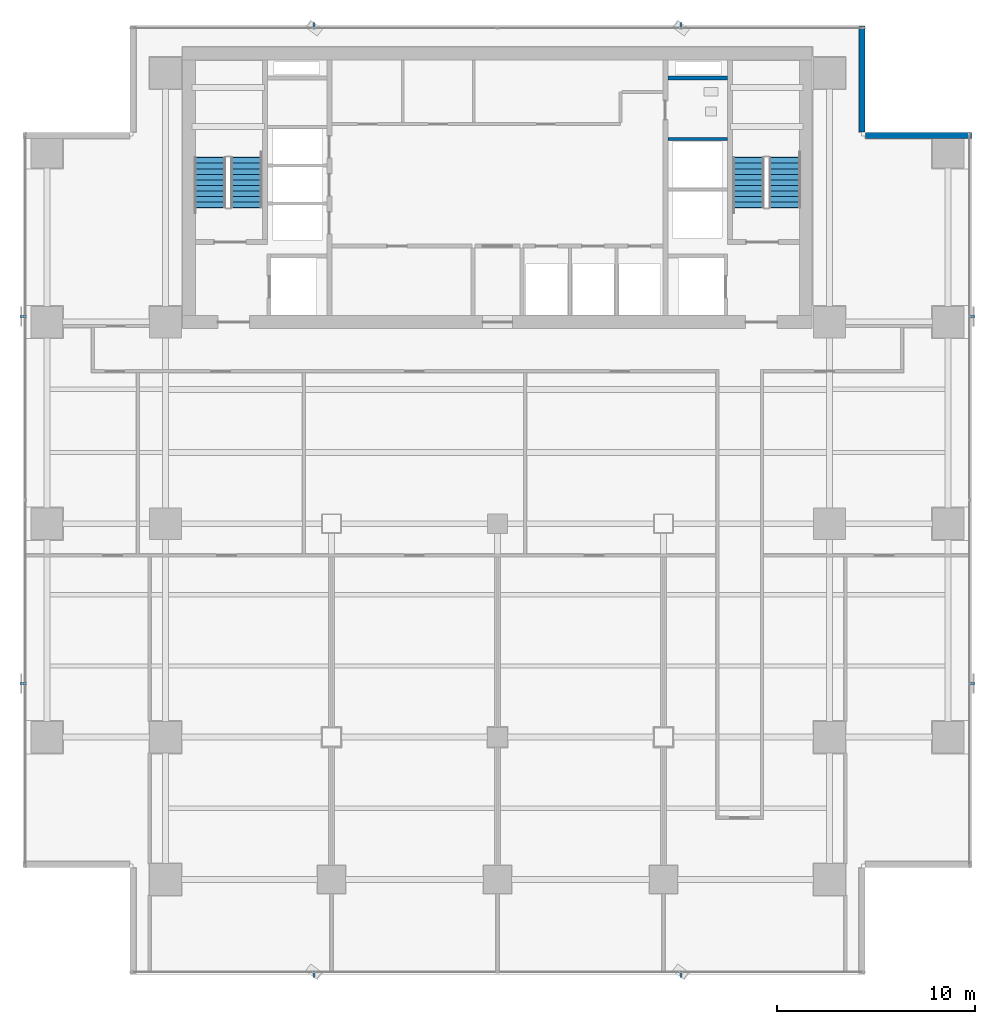
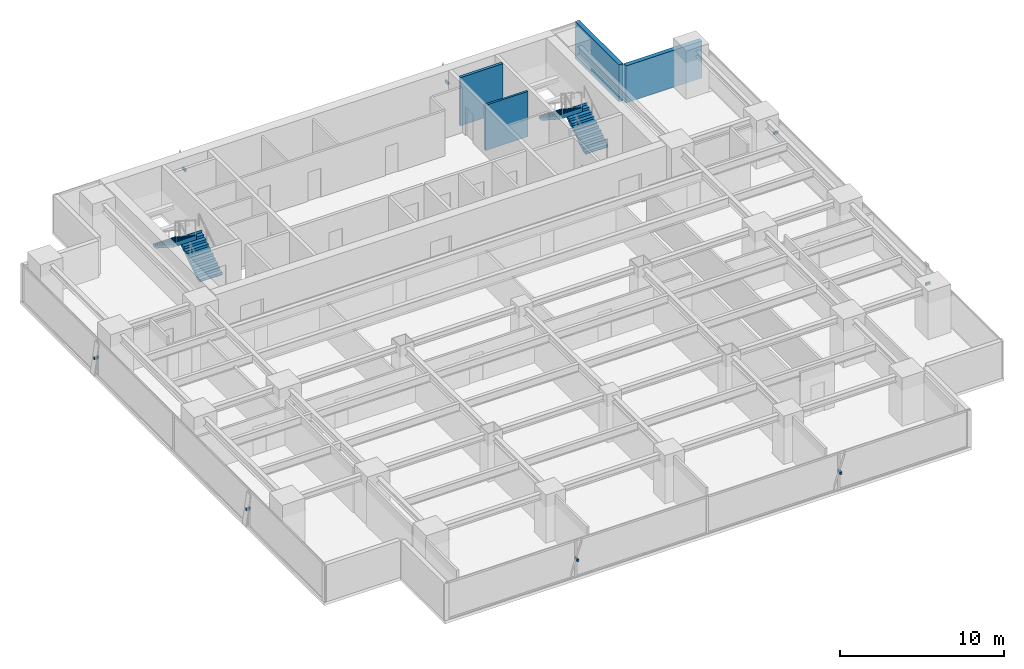
# One storey, part 23 of 28: 8 discrete accessories, 4 stair flights, 4 walls, 2 elements without a shape of their own.
"""IFC4 building model written with IfcOpenShell, lengths in metres."""

import ifcopenshell
import ifcopenshell.guid

model = None  # the IFC model being written
_history = None  # IfcOwnerHistory: only IFC2X3 demands one
_inside = {}  # id of a spatial element -> (the spatial element, [elements in it])
_under = {}  # id of a project, library or spatial element -> (it, [spatial elements below it])
_declared = {}  # id of a project -> (the project, [libraries it declares])
_typed = {}  # id of a type object -> (the type object, [elements of that type])
_made_of = {}  # id of a material, layer set ... -> (it, [elements and type objects made of it])


def new_model(schema):
    """Start an empty IFC model of exactly this schema.

    Asked for "IFC4X3", IfcOpenShell would pick the latest addendum, in which some entities
    have other attributes; the version numbers below select the first issue.
    IFC2X3 requires an IfcOwnerHistory on every rooted entity: one is made here for all.
    """
    global model, _history
    if schema == "IFC4X3":
        model = ifcopenshell.file(schema_version=(4, 3, 0, 0))
    else:
        model = ifcopenshell.file(schema=schema)
    _inside.clear()
    _under.clear()
    _declared.clear()
    _typed.clear()
    _made_of.clear()
    _history = None
    if model.schema == "IFC2X3":
        org = make("IfcOrganization", Name="unknown")
        user = make(
            "IfcPersonAndOrganization",
            ThePerson=make("IfcPerson", FamilyName="unknown"),
            TheOrganization=org,
        )
        app = make(
            "IfcApplication",
            ApplicationDeveloper=org,
            Version="unknown",
            ApplicationFullName="unknown",
            ApplicationIdentifier="unknown",
        )
        _history = make(
            "IfcOwnerHistory",
            OwningUser=user,
            OwningApplication=app,
            ChangeAction="ADDED",
            CreationDate=0,
        )
    return model


def make(cls, **values):
    """One entity of the class cls with the attributes given. An attribute that is None is left unset."""
    return model.create_entity(
        cls, **{name: value for name, value in values.items() if value is not None}
    )


def rooted(cls, **values):
    """An entity with a GlobalId (a new one), such as an element, a storey or a relation."""
    return make(cls, GlobalId=ifcopenshell.guid.new(), OwnerHistory=_history, **values)


def si_unit(unit_type, name, prefix=None):
    """IfcSIUnit, for example si_unit("LENGTHUNIT", "METRE", prefix="MILLI")."""
    return make("IfcSIUnit", UnitType=unit_type, Prefix=prefix, Name=name)


def assignment(units):
    """IfcUnitAssignment: the units of a project."""
    return None if units is None else make("IfcUnitAssignment", Units=units)


def point(xyz):
    """IfcCartesianPoint."""
    return None if xyz is None else make("IfcCartesianPoint", Coordinates=xyz)


def direction(xyz):
    """IfcDirection."""
    return None if xyz is None else make("IfcDirection", DirectionRatios=xyz)


def frame(location, z_axis=None, x_axis=None):
    """IfcAxis2Placement3D, a coordinate frame: its origin and axes. An axis left out is left unset."""
    return make(
        "IfcAxis2Placement3D",
        Location=point(location),
        Axis=direction(z_axis),
        RefDirection=direction(x_axis),
    )


def frame_2d(location, x_axis=None):
    """IfcAxis2Placement2D, a coordinate frame in the plane: its origin and x axis."""
    return make(
        "IfcAxis2Placement2D", Location=point(location), RefDirection=direction(x_axis)
    )


def origin():
    """The frame at (0, 0, 0) with its axes left unset."""
    return frame((0.0, 0.0, 0.0))


def origin_2d():
    """The frame at (0, 0) in the plane with its x axis left unset."""
    return frame_2d((0.0, 0.0))


def place(relative_to, where):
    """IfcLocalPlacement: puts the frame where relative to a parent placement (None: the world)."""
    return make(
        "IfcLocalPlacement", PlacementRelTo=relative_to, RelativePlacement=where
    )


def context(
    kind, dimensions, precision=None, world=None, true_north=None, identifier=None
):
    """IfcGeometricRepresentationContext, for example the 3D "Model" context."""
    return make(
        "IfcGeometricRepresentationContext",
        ContextIdentifier=identifier,
        ContextType=kind,
        CoordinateSpaceDimension=dimensions,
        Precision=precision,
        WorldCoordinateSystem=world,
        TrueNorth=true_north,
    )


def subcontext(parent, identifier, kind, view, scale=None):
    """IfcGeometricRepresentationSubContext, for example "Body" below "Model"."""
    return make(
        "IfcGeometricRepresentationSubContext",
        ContextIdentifier=identifier,
        ContextType=kind,
        ParentContext=parent,
        TargetScale=scale,
        TargetView=view,
    )


def project(units=None, contexts=None):
    """IfcProject with its units and contexts."""
    return rooted(
        "IfcProject",
        Name="project",
        RepresentationContexts=contexts,
        UnitsInContext=assignment(units),
    )


def spatial(cls, under=None, at=None, **own):
    """A site, building, storey or space (cls), placed at a placement, below another one or the project."""
    s = rooted(cls, ObjectPlacement=at, **own)
    if under is not None:
        _under.setdefault(under.id(), (under, []))[1].append(s)
    return s


def polyline(points):
    """IfcPolyline through the points."""
    return make("IfcPolyline", Points=[point(p) for p in points])


def profile(cls, at=None, kind="AREA", **sizes):
    """A parametric profile (cls). Its sizes go by their IFC names, for example OverallWidth=200.0."""
    return make(cls, ProfileType=kind, Position=at, **sizes)


def rectangle(**sizes):
    """IfcRectangleProfileDef."""
    return profile("IfcRectangleProfileDef", **sizes)


def outline(outer, holes=None, kind="AREA"):
    """IfcArbitraryClosedProfileDef: a profile drawn as a closed curve; with holes, ...WithVoids."""
    if holes is None:
        return make("IfcArbitraryClosedProfileDef", ProfileType=kind, OuterCurve=outer)
    return make(
        "IfcArbitraryProfileDefWithVoids",
        ProfileType=kind,
        OuterCurve=outer,
        InnerCurves=holes,
    )


def extrude(swept, where, along, depth):
    """IfcExtrudedAreaSolid: the profile swept, set in the frame where, extruded along a direction by depth."""
    return make(
        "IfcExtrudedAreaSolid",
        SweptArea=swept,
        Position=where,
        ExtrudedDirection=direction(along),
        Depth=depth,
    )


def shape(context_of_items, identifier, shape_type, items):
    """IfcShapeRepresentation: the items that make up one representation, for example the "Body"."""
    return make(
        "IfcShapeRepresentation",
        ContextOfItems=context_of_items,
        RepresentationIdentifier=identifier,
        RepresentationType=shape_type,
        Items=items,
    )


def source(mapping_origin, context_of_items, identifier, shape_type, items):
    """IfcRepresentationMap: a shape defined once, which mapped items show again and again."""
    return make(
        "IfcRepresentationMap",
        MappingOrigin=mapping_origin,
        MappedRepresentation=shape(context_of_items, identifier, shape_type, items),
    )


def transform(
    local_origin,
    x_axis=None,
    y_axis=None,
    z_axis=None,
    scale=None,
    scale2=None,
    scale3=None,
    uniform=True,
):
    """IfcCartesianTransformationOperator3D, or its non-uniform kind. x_axis, y_axis, z_axis: its Axis1, 2, 3."""
    if uniform:
        return make(
            "IfcCartesianTransformationOperator3D",
            Axis1=direction(x_axis),
            Axis2=direction(y_axis),
            LocalOrigin=point(local_origin),
            Scale=scale,
            Axis3=direction(z_axis),
        )
    return make(
        "IfcCartesianTransformationOperator3DnonUniform",
        Axis1=direction(x_axis),
        Axis2=direction(y_axis),
        LocalOrigin=point(local_origin),
        Scale=scale,
        Axis3=direction(z_axis),
        Scale2=scale2,
        Scale3=scale3,
    )


def mapped(mapping_source, mapping_target):
    """IfcMappedItem: shows the shape of a source again, moved by a transform."""
    return make(
        "IfcMappedItem", MappingSource=mapping_source, MappingTarget=mapping_target
    )


def material(Name=None, Category=None):
    """IfcMaterial."""
    return make("IfcMaterial", Name=Name, Category=Category)


def layer(
    of_material, thickness, ventilated=None, Name=None, Category=None, Priority=None
):
    """IfcMaterialLayer: one layer of a wall or slab, of a material (None: an air gap)."""
    return make(
        "IfcMaterialLayer",
        Material=of_material,
        LayerThickness=thickness,
        IsVentilated=ventilated,
        Name=Name,
        Category=Category,
        Priority=Priority,
    )


def layer_set(layers, Name=None):
    """IfcMaterialLayerSet."""
    return make("IfcMaterialLayerSet", MaterialLayers=layers, LayerSetName=Name)


def material_profile(
    of_material, cross_section, Name=None, Category=None, Priority=None
):
    """IfcMaterialProfile: a cross section and its material."""
    return make(
        "IfcMaterialProfile",
        Name=Name,
        Material=of_material,
        Profile=cross_section,
        Priority=Priority,
        Category=Category,
    )


def profile_set(profiles, Name=None, composite=None):
    """IfcMaterialProfileSet."""
    return make(
        "IfcMaterialProfileSet",
        Name=Name,
        MaterialProfiles=profiles,
        CompositeProfile=composite,
    )


def made_of(thing, what):
    """Note that an element or type object is made of a material, layer set ...; save() writes the relation."""
    if what is not None:
        _made_of.setdefault(what.id(), (what, []))[1].append(thing)
    return thing


def type_object(cls, material=None, **own):
    """A type object (cls), such as IfcWallType, which elements share."""
    return made_of(rooted(cls, **own), material)


def element(
    cls,
    number,
    at=None,
    inside=None,
    cuts=None,
    type_object=None,
    material=None,
    context=None,
    identifier="Body",
    shape_type=None,
    held_by="IfcProductDefinitionShape",
    body=None,
    shapes=None,
    **own,
):
    """One element of the class cls, such as IfcWall. Its Tag is "e" and its number.

    at: its placement. inside: the storey or other place that contains it. cuts: it is an
    opening in that element (IfcRelVoidsElement). A single representation is given by context,
    identifier, shape_type and body (its items); several are given by shapes. held_by: the class
    of the entity that holds the representations. save() writes the other relations.
    """
    e = rooted(cls, Tag="e%d" % number, ObjectPlacement=at, **own)
    if body is not None:
        shapes = [shape(context, identifier, shape_type, body)]
    if shapes is not None:
        e.Representation = make(held_by, Representations=shapes)
    if inside is not None:
        _inside.setdefault(inside.id(), (inside, []))[1].append(e)
    if cuts is not None:
        rooted(
            "IfcRelVoidsElement", RelatingBuildingElement=cuts, RelatedOpeningElement=e
        )
    if type_object is not None:
        _typed.setdefault(type_object.id(), (type_object, []))[1].append(e)
    return made_of(e, material)


def aggregate(whole, parts):
    """IfcRelAggregates: a whole, such as a stair, and the parts it consists of."""
    return rooted("IfcRelAggregates", RelatingObject=whole, RelatedObjects=parts)


def save(model, path):
    """Write the relations noted so far, then the file.

    IfcRelAggregates (storeys below a building ...), IfcRelContainedInSpatialStructure (elements
    in a storey), IfcRelDefinesByType, IfcRelAssociatesMaterial and IfcRelDeclares: one each for
    every whole, place, type object, material and project.
    """
    for whole, parts in _under.values():
        aggregate(whole, parts)
    for where, things in _inside.values():
        rooted(
            "IfcRelContainedInSpatialStructure",
            RelatedElements=things,
            RelatingStructure=where,
        )
    for kind, things in _typed.values():
        rooted("IfcRelDefinesByType", RelatedObjects=things, RelatingType=kind)
    for what, things in _made_of.values():
        rooted("IfcRelAssociatesMaterial", RelatedObjects=things, RelatingMaterial=what)
    for by, libraries in _declared.values():
        rooted("IfcRelDeclares", RelatingContext=by, RelatedDefinitions=libraries)
    model.write(path)


model = new_model("IFC4")

# Units and contexts
model_context = context("Model", 3, precision=1e-05, world=origin(), true_north=direction((0.0, 1.0)))
body_context = subcontext(model_context, "Body", "Model", "MODEL_VIEW")
ifc_project = project(units=[si_unit("LENGTHUNIT", "METRE"), si_unit("AREAUNIT", "SQUARE_METRE"), si_unit("VOLUMEUNIT", "CUBIC_METRE"), si_unit("PLANEANGLEUNIT", "RADIAN"), si_unit("MASSUNIT", "GRAM", prefix="KILO")], contexts=[model_context])

# Site, building, storey
site_placement = place(None, origin())
site = spatial("IfcSite", under=ifc_project, at=site_placement, CompositionType="ELEMENT")
building_placement = place(site_placement, origin())
building = spatial("IfcBuilding", under=site, at=building_placement, Name="Sumidabori Civic Tower", CompositionType="ELEMENT")
storey_placement = place(building_placement, frame((0.0, 0.0, 153.199951171875)))
storey = spatial("IfcBuildingStorey", under=building, at=storey_placement, Name="L39", CompositionType="ELEMENT", Elevation=153.199951171875)

# Walls
ifc_material_1 = material(Name="Concrete C50/60", Category="concrete")
ifc_layer_1 = layer(ifc_material_1, 0.199951171875, Name="Concrete C50/60")
ifc_layer_set_1 = layer_set([ifc_layer_1], Name="Concrete C50/60")
wall_type_1 = type_object("IfcWallType", Name="WL-SHAFT-200", PredefinedType="SHEAR", material=ifc_layer_set_1)
shared_shape_1 = source(origin(), body_context, "Body", "SweptSolid", [
    extrude(rectangle(XDim=3.02001953125, YDim=0.199951171875, at=frame_2d((1.510009765625, 0.0))), origin(), (0.0, 0.0, 1.0), 3.60009765625),
])
wall_1_placement = place(storey_placement, frame((8.625, 22.550048828125, 0.0), z_axis=(0.0, 0.0, 1.0), x_axis=(1.0, 0.0, 0.0)))
element("IfcWall", 1, at=wall_1_placement, inside=storey, type_object=wall_type_1, Name="Core Shear Wall L39 RIS2-S", PredefinedType="SHEAR", context=body_context, shape_type="MappedRepresentation", body=[
    mapped(shared_shape_1, transform((0.0, 0.0, 0.0), x_axis=(1.0, 0.0, 0.0), y_axis=(0.0, 1.0, 0.0), z_axis=(0.0, 0.0, 1.0), scale=1.0)),
])
ifc_material_2 = material(Name="Precast concrete C40/50", Category="concrete")
ifc_layer_2 = layer(ifc_material_2, 0.300048828125, Name="Precast concrete C40/50")
ifc_layer_set_2 = layer_set([ifc_layer_2], Name="Precast concrete C40/50")
wall_type_2 = type_object("IfcWallType", Name="WL-EXT-POD300", PredefinedType="STANDARD", material=ifc_layer_set_2)
shared_shape_2 = source(origin(), body_context, "Body", "SweptSolid", [
    extrude(rectangle(XDim=5.35986328125, YDim=0.300048828125, at=frame_2d((2.679931640625, 0.0))), origin(), (0.0, 0.0, 1.0), 2.760009765625),
])
for number, where, z_axis, x_axis, name in (
    (2, (23.97998046875, 19.64990234375, 0.0), (0.0, 0.0, 1.0), (-1.0, 0.0, 0.0), "Notched Corner Spandrel Band L39-05"),
    (3, (18.449951171875, 19.820068359375, 0.0), (0.0, 0.0, 1.0), (0.0, 1.0, 0.0), "Notched Corner Spandrel Band L39-06"),
):
    element("IfcWall", number, at=place(storey_placement, frame(where, z_axis=z_axis, x_axis=x_axis)), inside=storey, type_object=wall_type_2, Name=name, PredefinedType="STANDARD", context=body_context, shape_type="MappedRepresentation", body=[
        mapped(shared_shape_2, transform((0.0, 0.0, 0.0), x_axis=(1.0, 0.0, 0.0), y_axis=(0.0, 1.0, 0.0), z_axis=(0.0, 0.0, 1.0), scale=1.0)),
    ])
ifc_material_3 = material(Name="Gypsum Plasterboard Acoustic Partition")
ifc_layer_3 = layer(ifc_material_3, 0.14990234375, Name="Gypsum Plasterboard Acoustic Partition")
ifc_layer_set_3 = layer_set([ifc_layer_3], Name="Gypsum Plasterboard Acoustic Partition")
wall_type_3 = type_object("IfcWallType", Name="WL-PART-150", PredefinedType="PARTITIONING", material=ifc_layer_set_3)
shared_shape_3 = source(origin(), body_context, "Body", "SweptSolid", [
    extrude(rectangle(XDim=3.010009765625, YDim=0.14990234375, at=frame_2d((1.5048828125, 0.0))), origin(), (0.0, 0.0, 1.0), 3.380126953125),
])
wall_2_placement = place(storey_placement, frame((8.6298828125, 19.469970703125, 0.0), z_axis=(0.0, 0.0, 1.0), x_axis=(1.0, 0.0, 0.0)))
element("IfcWall", 4, at=wall_2_placement, inside=storey, type_object=wall_type_3, Name="Interior Partition WL:L39:DIV-OBS2", PredefinedType="PARTITIONING", context=body_context, shape_type="MappedRepresentation", body=[
    mapped(shared_shape_3, transform((0.0, 0.0, 0.0), x_axis=(1.0, 0.0, 0.0), y_axis=(0.0, 1.0, 0.0), z_axis=(0.0, 0.0, 1.0), scale=1.0)),
])

# Stair, stair flights
ifc_material_4 = material(Name="Concrete C40/50", Category="concrete")
stair_type = type_object("IfcStairType", Name="ST-CORE-1600", PredefinedType="HALF_TURN_STAIR", material=ifc_material_4)
stair_1_placement = place(storey_placement, origin())
stair_1 = element("IfcStair", 5, at=stair_1_placement, inside=storey, type_object=stair_type, Name="L39 ST-1", PredefinedType="HALF_TURN_STAIR")
stair_flight_type = type_object("IfcStairFlightType", Name="SF-CORE-1600", PredefinedType="STRAIGHT", material=ifc_material_4)
shared_shape_4 = source(origin(), body_context, "Body", "SweptSolid", [
    extrude(outline(polyline([(-0.02490234375, 0.0), (-0.02490234375, 0.0400390625), (0.0, 0.0400390625), (0.0, 0.179931640625), (0.280029296875, 0.179931640625), (0.280029296875, 0.360107421875), (0.56005859375, 0.360107421875), (0.56005859375, 0.5400390625), (0.840087890625, 0.5400390625), (0.840087890625, 0.719970703125), (1.1201171875, 0.719970703125), (1.1201171875, 0.89990234375), (1.39990234375, 0.89990234375), (1.39990234375, 1.080078125), (1.679931640625, 1.080078125), (1.679931640625, 1.260009765625), (1.9599609375, 1.260009765625), (1.9599609375, 1.43994140625), (2.239990234375, 1.43994140625), (2.239990234375, 1.6201171875), (2.52001953125, 1.6201171875), (2.52001953125, 1.800048828125), (2.544921875, 1.800048828125), (2.544921875, 1.650146484375), (2.52001953125, 1.44189453125), (0.277099609375, 0.0), (-0.02490234375, 0.0)])), frame((0.0, 0.800048828125, 0.0), z_axis=(0.0, -1.0, 0.0), x_axis=(1.0, 0.0, 0.0)), (0.0, 0.0, 1.0), 1.60009765625),
])
stair_flight_1_placement = place(storey_placement, frame((-12.699951171875, 16.0, 0.0), z_axis=(0.0, 0.0, 1.0), x_axis=(0.0, 1.0, 0.0)))
stair_flight_1 = element("IfcStairFlight", 6, at=stair_flight_1_placement, type_object=stair_flight_type, Name="ST-1 flight 1", NumberOfRisers=10, NumberOfTreads=9, PredefinedType="STRAIGHT", RiserHeight=0.18, TreadLength=0.28, context=body_context, shape_type="MappedRepresentation", body=[
    mapped(shared_shape_4, transform((0.0, 0.0, 0.0), x_axis=(1.0, 0.0, 0.0), y_axis=(0.0, 1.0, 0.0), z_axis=(0.0, 0.0, 1.0), scale=1.0)),
])
stair_flight_2_placement = place(storey_placement, frame((-14.5400390625, 18.52001953125, 1.800048828125), z_axis=(0.0, 0.0, 1.0), x_axis=(0.0, -1.0, 0.0)))
stair_flight_2 = element("IfcStairFlight", 7, at=stair_flight_2_placement, type_object=stair_flight_type, Name="ST-1 flight 2", NumberOfRisers=10, NumberOfTreads=9, PredefinedType="STRAIGHT", RiserHeight=0.18, TreadLength=0.28, context=body_context, shape_type="MappedRepresentation", body=[
    mapped(shared_shape_4, transform((0.0, 0.0, 0.0), x_axis=(1.0, 0.0, 0.0), y_axis=(0.0, 1.0, 0.0), z_axis=(0.0, 0.0, 1.0), scale=1.0)),
])
aggregate(stair_1, [stair_flight_1, stair_flight_2])

stair_2_placement = place(storey_placement, origin())
stair_2 = element("IfcStair", 8, at=stair_2_placement, inside=storey, type_object=stair_type, Name="L39 ST-2", PredefinedType="HALF_TURN_STAIR")
stair_flight_3_placement = place(storey_placement, frame((14.5400390625, 16.0, 0.0), z_axis=(0.0, 0.0, 1.0), x_axis=(0.0, 1.0, 0.0)))
stair_flight_3 = element("IfcStairFlight", 9, at=stair_flight_3_placement, type_object=stair_flight_type, Name="ST-2 flight 1", NumberOfRisers=10, NumberOfTreads=9, PredefinedType="STRAIGHT", RiserHeight=0.18, TreadLength=0.28, context=body_context, shape_type="MappedRepresentation", body=[
    mapped(shared_shape_4, transform((0.0, 0.0, 0.0), x_axis=(1.0, 0.0, 0.0), y_axis=(0.0, 1.0, 0.0), z_axis=(0.0, 0.0, 1.0), scale=1.0)),
])
stair_flight_4_placement = place(storey_placement, frame((12.699951171875, 18.52001953125, 1.800048828125), z_axis=(0.0, 0.0, 1.0), x_axis=(0.0, -1.0, 0.0)))
stair_flight_4 = element("IfcStairFlight", 10, at=stair_flight_4_placement, type_object=stair_flight_type, Name="ST-2 flight 2", NumberOfRisers=10, NumberOfTreads=9, PredefinedType="STRAIGHT", RiserHeight=0.18, TreadLength=0.28, context=body_context, shape_type="MappedRepresentation", body=[
    mapped(shared_shape_4, transform((0.0, 0.0, 0.0), x_axis=(1.0, 0.0, 0.0), y_axis=(0.0, 1.0, 0.0), z_axis=(0.0, 0.0, 1.0), scale=1.0)),
])
aggregate(stair_2, [stair_flight_3, stair_flight_4])

# Discrete accessories
ifc_material_5 = material(Name="Stainless Steel Hairline Finish", Category="steel")
ifc_material_profile = material_profile(ifc_material_5, rectangle(XDim=0.1201171875, YDim=0.179931640625, at=origin_2d()), Name="STEEL BRACKET 180x120")
ifc_profile_set = profile_set([ifc_material_profile], Name="Stainless Steel Hairline Finish")
discrete_accessory_type = type_object("IfcDiscreteAccessoryType", Name="AC-BRK-180", PredefinedType="BRACKET", material=ifc_profile_set)
shared_shape_5 = source(origin(), body_context, "Body", "SweptSolid", [
    extrude(rectangle(XDim=0.1201171875, YDim=0.179931640625, at=origin_2d()), origin(), (0.0, 0.0, 1.0), 0.329833984375),
])
for number, where, z_axis, x_axis, name in (
    (11, (23.830078125, -8.0849609375, 1.3701171875), (1.0, 0.0, 0.0), (0.0, 1.0, 0.0), "Bronze Fin Fixing Bracket L39-01"),
    (12, (23.830078125, 10.485107421875, 1.3701171875), (1.0, 0.0, 0.0), (0.0, 1.0, 0.0), "Bronze Fin Fixing Bracket L39-03"),
    (13, (-23.830078125, 10.485107421875, 1.3701171875), (-1.0, 0.0, 0.0), (0.0, -1.0, 0.0), "Bronze Fin Fixing Bracket L39-01"),
    (14, (-23.830078125, -8.0849609375, 1.3701171875), (-1.0, 0.0, 0.0), (0.0, -1.0, 0.0), "Bronze Fin Fixing Bracket L39-03"),
):
    element("IfcDiscreteAccessory", number, at=place(storey_placement, frame(where, z_axis=z_axis, x_axis=x_axis)), inside=storey, type_object=discrete_accessory_type, Name=name, PredefinedType="BRACKET", context=body_context, shape_type="MappedRepresentation", body=[
        mapped(shared_shape_5, transform((0.0, 0.0, 0.0), x_axis=(1.0, 0.0, 0.0), y_axis=(0.0, 1.0, 0.0), z_axis=(0.0, 0.0, 1.0), scale=1.0)),
    ])
shared_shape_6 = source(origin(), body_context, "Body", "SweptSolid", [
    extrude(rectangle(XDim=0.1201171875, YDim=0.179931640625, at=origin_2d()), origin(), (0.0, 0.0, 1.0), 0.330078125),
])
for number, where, z_axis, x_axis, name in (
    (15, (-9.284912109375, -22.6298828125, 1.3701171875), (0.0, -1.0, 0.0), (1.0, 0.0, 0.0), "Bronze Fin Fixing Bracket L39-01"),
    (16, (9.284912109375, -22.6298828125, 1.3701171875), (0.0, -1.0, 0.0), (1.0, 0.0, 0.0), "Bronze Fin Fixing Bracket L39-03"),
    (17, (9.284912109375, 25.030029296875, 1.3701171875), (0.0, 1.0, 0.0), (-1.0, 0.0, 0.0), "Bronze Fin Fixing Bracket L39-01"),
    (18, (-9.284912109375, 25.030029296875, 1.3701171875), (0.0, 1.0, 0.0), (-1.0, 0.0, 0.0), "Bronze Fin Fixing Bracket L39-03"),
):
    element("IfcDiscreteAccessory", number, at=place(storey_placement, frame(where, z_axis=z_axis, x_axis=x_axis)), inside=storey, type_object=discrete_accessory_type, Name=name, PredefinedType="BRACKET", context=body_context, shape_type="MappedRepresentation", body=[
        mapped(shared_shape_6, transform((0.0, 0.0, 0.0), x_axis=(1.0, 0.0, 0.0), y_axis=(0.0, 1.0, 0.0), z_axis=(0.0, 0.0, 1.0), scale=1.0)),
    ])

save(model, "model.ifc")
